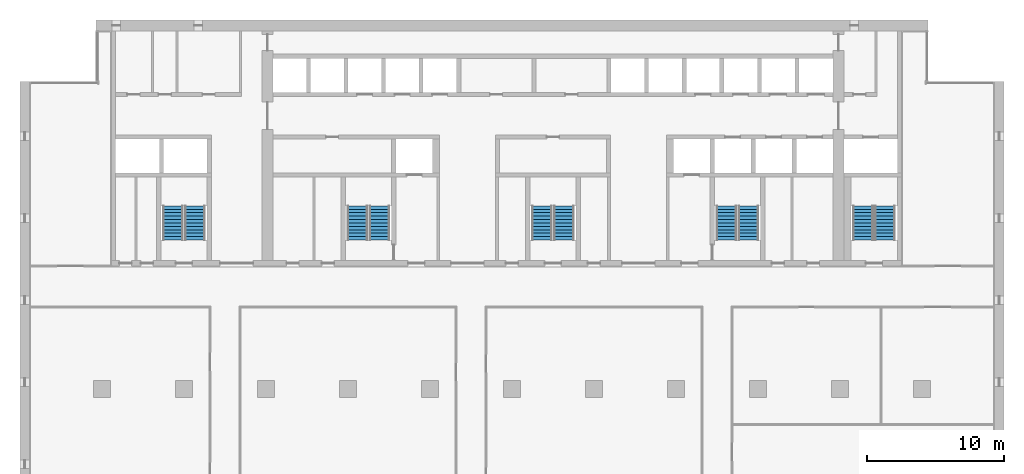
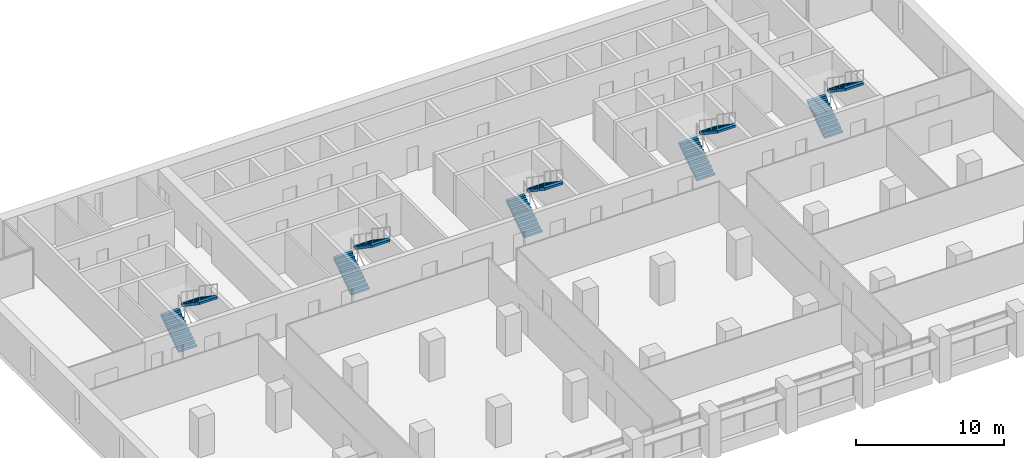
# One storey, part 13 of 16: 10 stair flights, 5 elements without a shape of their own.
"""IFC4 building model written with IfcOpenShell, lengths in metres."""

from ifc_helpers import new_model, si_unit, direction, frame, origin, place, context, subcontext, project, spatial, polyline, outline, extrude, material, type_object, element, aggregate, save


model = new_model("IFC4")

# Units and contexts
model_context = context("Model", 3, precision=1e-05, world=origin(), true_north=direction((0.0, 1.0)))
body_context = subcontext(model_context, "Body", "Model", "MODEL_VIEW")
ifc_project = project(units=[si_unit("LENGTHUNIT", "METRE"), si_unit("AREAUNIT", "SQUARE_METRE"), si_unit("VOLUMEUNIT", "CUBIC_METRE"), si_unit("PLANEANGLEUNIT", "RADIAN"), si_unit("MASSUNIT", "GRAM", prefix="KILO")], contexts=[model_context])

# Site, building, storey
site_placement = place(None, origin())
site = spatial("IfcSite", under=ifc_project, at=site_placement, CompositionType="ELEMENT")
building_placement = place(site_placement, origin())
building = spatial("IfcBuilding", under=site, at=building_placement, Name="Calvaro Tower", CompositionType="ELEMENT")
storey_placement = place(building_placement, frame((0.0, 0.0, 136.25)))
storey = spatial("IfcBuildingStorey", under=building, at=storey_placement, Name="L34", CompositionType="ELEMENT", Elevation=136.25)

# Stair, stair flights
ifc_material_1 = material(Name="Concrete C40/50", Category="concrete")
stair_type = type_object("IfcStairType", Name="Exit stair 1400 2 flights", PredefinedType="HALF_TURN_STAIR", material=ifc_material_1)
stair_1_placement = place(storey_placement, origin())
stair_1 = element("IfcStair", 1, at=stair_1_placement, inside=storey, type_object=stair_type, Name="Exit stair S1", PredefinedType="HALF_TURN_STAIR")
ifc_material_2 = material(Name="Concrete C40/50", Category="concrete")
stair_flight_type = type_object("IfcStairFlightType", Name="Stair flight", PredefinedType="STRAIGHT", material=ifc_material_2)
stair_flight_1_placement = place(storey_placement, frame((11.199951171875, 29.89990234375, 0.0), z_axis=(0.0, 0.0, 1.0), x_axis=(0.0, 1.0, 0.0)))
stair_flight_1 = element("IfcStairFlight", 2, at=stair_flight_1_placement, type_object=stair_flight_type, Name="Exit stair 1, flight 1", NumberOfRisers=11, NumberOfTreads=10, PredefinedType="STRAIGHT", RiserHeight=0.170454545, TreadLength=0.25, context=body_context, shape_type="SweptSolid", body=[
    extrude(outline(polyline([(0.0, 0.0), (0.0, 0.17041015625), (0.25, 0.17041015625), (0.25, 0.3408203125), (0.5, 0.3408203125), (0.5, 0.511474609375), (0.75, 0.511474609375), (0.75, 0.681884765625), (1.0, 0.681884765625), (1.0, 0.852294921875), (1.25, 0.852294921875), (1.25, 1.022705078125), (1.5, 1.022705078125), (1.5, 1.193115234375), (1.75, 1.193115234375), (1.75, 1.363525390625), (2.0, 1.363525390625), (2.0, 1.5341796875), (2.25, 1.5341796875), (2.25, 1.70458984375), (2.5, 1.70458984375), (2.5, 1.875), (2.5, 1.523193359375), (0.26611328125, 0.0), (0.0, 0.0)])), frame((0.0, 0.699951171875, 0.0), z_axis=(0.0, -1.0, 0.0), x_axis=(1.0, 0.0, 0.0)), (0.0, 0.0, 1.0), 1.39990234375),
])
stair_flight_2_placement = place(storey_placement, frame((12.800048828125, 32.39990234375, 1.875), z_axis=(0.0, 0.0, 1.0), x_axis=(0.0, -1.0, 0.0)))
stair_flight_2 = element("IfcStairFlight", 3, at=stair_flight_2_placement, type_object=stair_flight_type, Name="Exit stair 1, flight 2", NumberOfRisers=11, NumberOfTreads=10, PredefinedType="STRAIGHT", RiserHeight=0.170454545, TreadLength=0.25, context=body_context, shape_type="SweptSolid", body=[
    extrude(outline(polyline([(0.0, 0.0), (0.0, 0.17041015625), (0.25, 0.17041015625), (0.25, 0.3408203125), (0.5, 0.3408203125), (0.5, 0.511474609375), (0.75, 0.511474609375), (0.75, 0.681884765625), (1.0, 0.681884765625), (1.0, 0.852294921875), (1.25, 0.852294921875), (1.25, 1.022705078125), (1.5, 1.022705078125), (1.5, 1.193115234375), (1.75, 1.193115234375), (1.75, 1.363525390625), (2.0, 1.363525390625), (2.0, 1.5341796875), (2.25, 1.5341796875), (2.25, 1.70458984375), (2.5, 1.70458984375), (2.5, 1.875), (2.5, 1.523193359375), (0.26611328125, 0.0), (0.0, 0.0)])), frame((0.0, 0.699951171875, 0.0), z_axis=(0.0, -1.0, 0.0), x_axis=(1.0, 0.0, 0.0)), (0.0, 0.0, 1.0), 1.39990234375),
])
aggregate(stair_1, [stair_flight_1, stair_flight_2])

stair_2_placement = place(storey_placement, origin())
stair_2 = element("IfcStair", 4, at=stair_2_placement, inside=storey, type_object=stair_type, Name="Exit stair S2", PredefinedType="HALF_TURN_STAIR")
stair_flight_3_placement = place(storey_placement, frame((24.699951171875, 29.89990234375, 0.0), z_axis=(0.0, 0.0, 1.0), x_axis=(0.0, 1.0, 0.0)))
stair_flight_3 = element("IfcStairFlight", 5, at=stair_flight_3_placement, type_object=stair_flight_type, Name="Exit stair 2, flight 1", NumberOfRisers=11, NumberOfTreads=10, PredefinedType="STRAIGHT", RiserHeight=0.170454545, TreadLength=0.25, context=body_context, shape_type="SweptSolid", body=[
    extrude(outline(polyline([(0.0, 0.0), (0.0, 0.17041015625), (0.25, 0.17041015625), (0.25, 0.3408203125), (0.5, 0.3408203125), (0.5, 0.511474609375), (0.75, 0.511474609375), (0.75, 0.681884765625), (1.0, 0.681884765625), (1.0, 0.852294921875), (1.25, 0.852294921875), (1.25, 1.022705078125), (1.5, 1.022705078125), (1.5, 1.193115234375), (1.75, 1.193115234375), (1.75, 1.363525390625), (2.0, 1.363525390625), (2.0, 1.5341796875), (2.25, 1.5341796875), (2.25, 1.70458984375), (2.5, 1.70458984375), (2.5, 1.875), (2.5, 1.523193359375), (0.26611328125, 0.0), (0.0, 0.0)])), frame((0.0, 0.699951171875, 0.0), z_axis=(0.0, -1.0, 0.0), x_axis=(1.0, 0.0, 0.0)), (0.0, 0.0, 1.0), 1.39990234375),
])
stair_flight_4_placement = place(storey_placement, frame((26.300048828125, 32.39990234375, 1.875), z_axis=(0.0, 0.0, 1.0), x_axis=(0.0, -1.0, 0.0)))
stair_flight_4 = element("IfcStairFlight", 6, at=stair_flight_4_placement, type_object=stair_flight_type, Name="Exit stair 2, flight 2", NumberOfRisers=11, NumberOfTreads=10, PredefinedType="STRAIGHT", RiserHeight=0.170454545, TreadLength=0.25, context=body_context, shape_type="SweptSolid", body=[
    extrude(outline(polyline([(0.0, 0.0), (0.0, 0.17041015625), (0.25, 0.17041015625), (0.25, 0.3408203125), (0.5, 0.3408203125), (0.5, 0.511474609375), (0.75, 0.511474609375), (0.75, 0.681884765625), (1.0, 0.681884765625), (1.0, 0.852294921875), (1.25, 0.852294921875), (1.25, 1.022705078125), (1.5, 1.022705078125), (1.5, 1.193115234375), (1.75, 1.193115234375), (1.75, 1.363525390625), (2.0, 1.363525390625), (2.0, 1.5341796875), (2.25, 1.5341796875), (2.25, 1.70458984375), (2.5, 1.70458984375), (2.5, 1.875), (2.5, 1.523193359375), (0.26611328125, 0.0), (0.0, 0.0)])), frame((0.0, 0.699951171875, 0.0), z_axis=(0.0, -1.0, 0.0), x_axis=(1.0, 0.0, 0.0)), (0.0, 0.0, 1.0), 1.39990234375),
])
aggregate(stair_2, [stair_flight_3, stair_flight_4])

stair_3_placement = place(storey_placement, origin())
stair_3 = element("IfcStair", 7, at=stair_3_placement, inside=storey, type_object=stair_type, Name="Exit stair S3", PredefinedType="HALF_TURN_STAIR")
stair_flight_5_placement = place(storey_placement, frame((38.199951171875, 29.89990234375, 0.0), z_axis=(0.0, 0.0, 1.0), x_axis=(0.0, 1.0, 0.0)))
stair_flight_5 = element("IfcStairFlight", 8, at=stair_flight_5_placement, type_object=stair_flight_type, Name="Exit stair 3, flight 1", NumberOfRisers=11, NumberOfTreads=10, PredefinedType="STRAIGHT", RiserHeight=0.170454545, TreadLength=0.25, context=body_context, shape_type="SweptSolid", body=[
    extrude(outline(polyline([(0.0, 0.0), (0.0, 0.17041015625), (0.25, 0.17041015625), (0.25, 0.3408203125), (0.5, 0.3408203125), (0.5, 0.511474609375), (0.75, 0.511474609375), (0.75, 0.681884765625), (1.0, 0.681884765625), (1.0, 0.852294921875), (1.25, 0.852294921875), (1.25, 1.022705078125), (1.5, 1.022705078125), (1.5, 1.193115234375), (1.75, 1.193115234375), (1.75, 1.363525390625), (2.0, 1.363525390625), (2.0, 1.5341796875), (2.25, 1.5341796875), (2.25, 1.70458984375), (2.5, 1.70458984375), (2.5, 1.875), (2.5, 1.523193359375), (0.26611328125, 0.0), (0.0, 0.0)])), frame((0.0, 0.699951171875, 0.0), z_axis=(0.0, -1.0, 0.0), x_axis=(1.0, 0.0, 0.0)), (0.0, 0.0, 1.0), 1.39990234375),
])
stair_flight_6_placement = place(storey_placement, frame((39.800048828125, 32.39990234375, 1.875), z_axis=(0.0, 0.0, 1.0), x_axis=(0.0, -1.0, 0.0)))
stair_flight_6 = element("IfcStairFlight", 9, at=stair_flight_6_placement, type_object=stair_flight_type, Name="Exit stair 3, flight 2", NumberOfRisers=11, NumberOfTreads=10, PredefinedType="STRAIGHT", RiserHeight=0.170454545, TreadLength=0.25, context=body_context, shape_type="SweptSolid", body=[
    extrude(outline(polyline([(0.0, 0.0), (0.0, 0.17041015625), (0.25, 0.17041015625), (0.25, 0.3408203125), (0.5, 0.3408203125), (0.5, 0.511474609375), (0.75, 0.511474609375), (0.75, 0.681884765625), (1.0, 0.681884765625), (1.0, 0.852294921875), (1.25, 0.852294921875), (1.25, 1.022705078125), (1.5, 1.022705078125), (1.5, 1.193115234375), (1.75, 1.193115234375), (1.75, 1.363525390625), (2.0, 1.363525390625), (2.0, 1.5341796875), (2.25, 1.5341796875), (2.25, 1.70458984375), (2.5, 1.70458984375), (2.5, 1.875), (2.5, 1.523193359375), (0.26611328125, 0.0), (0.0, 0.0)])), frame((0.0, 0.699951171875, 0.0), z_axis=(0.0, -1.0, 0.0), x_axis=(1.0, 0.0, 0.0)), (0.0, 0.0, 1.0), 1.39990234375),
])
aggregate(stair_3, [stair_flight_5, stair_flight_6])

stair_4_placement = place(storey_placement, origin())
stair_4 = element("IfcStair", 10, at=stair_4_placement, inside=storey, type_object=stair_type, Name="Exit stair S4", PredefinedType="HALF_TURN_STAIR")
stair_flight_7_placement = place(storey_placement, frame((51.699951171875, 29.89990234375, 0.0), z_axis=(0.0, 0.0, 1.0), x_axis=(0.0, 1.0, 0.0)))
stair_flight_7 = element("IfcStairFlight", 11, at=stair_flight_7_placement, type_object=stair_flight_type, Name="Exit stair 4, flight 1", NumberOfRisers=11, NumberOfTreads=10, PredefinedType="STRAIGHT", RiserHeight=0.170454545, TreadLength=0.25, context=body_context, shape_type="SweptSolid", body=[
    extrude(outline(polyline([(0.0, 0.0), (0.0, 0.17041015625), (0.25, 0.17041015625), (0.25, 0.3408203125), (0.5, 0.3408203125), (0.5, 0.511474609375), (0.75, 0.511474609375), (0.75, 0.681884765625), (1.0, 0.681884765625), (1.0, 0.852294921875), (1.25, 0.852294921875), (1.25, 1.022705078125), (1.5, 1.022705078125), (1.5, 1.193115234375), (1.75, 1.193115234375), (1.75, 1.363525390625), (2.0, 1.363525390625), (2.0, 1.5341796875), (2.25, 1.5341796875), (2.25, 1.70458984375), (2.5, 1.70458984375), (2.5, 1.875), (2.5, 1.523193359375), (0.26611328125, 0.0), (0.0, 0.0)])), frame((0.0, 0.699951171875, 0.0), z_axis=(0.0, -1.0, 0.0), x_axis=(1.0, 0.0, 0.0)), (0.0, 0.0, 1.0), 1.39990234375),
])
stair_flight_8_placement = place(storey_placement, frame((53.300048828125, 32.39990234375, 1.875), z_axis=(0.0, 0.0, 1.0), x_axis=(0.0, -1.0, 0.0)))
stair_flight_8 = element("IfcStairFlight", 12, at=stair_flight_8_placement, type_object=stair_flight_type, Name="Exit stair 4, flight 2", NumberOfRisers=11, NumberOfTreads=10, PredefinedType="STRAIGHT", RiserHeight=0.170454545, TreadLength=0.25, context=body_context, shape_type="SweptSolid", body=[
    extrude(outline(polyline([(0.0, 0.0), (0.0, 0.17041015625), (0.25, 0.17041015625), (0.25, 0.3408203125), (0.5, 0.3408203125), (0.5, 0.511474609375), (0.75, 0.511474609375), (0.75, 0.681884765625), (1.0, 0.681884765625), (1.0, 0.852294921875), (1.25, 0.852294921875), (1.25, 1.022705078125), (1.5, 1.022705078125), (1.5, 1.193115234375), (1.75, 1.193115234375), (1.75, 1.363525390625), (2.0, 1.363525390625), (2.0, 1.5341796875), (2.25, 1.5341796875), (2.25, 1.70458984375), (2.5, 1.70458984375), (2.5, 1.875), (2.5, 1.523193359375), (0.26611328125, 0.0), (0.0, 0.0)])), frame((0.0, 0.699951171875, 0.0), z_axis=(0.0, -1.0, 0.0), x_axis=(1.0, 0.0, 0.0)), (0.0, 0.0, 1.0), 1.39990234375),
])
aggregate(stair_4, [stair_flight_7, stair_flight_8])

stair_5_placement = place(storey_placement, origin())
stair_5 = element("IfcStair", 13, at=stair_5_placement, inside=storey, type_object=stair_type, Name="Exit stair S5", PredefinedType="HALF_TURN_STAIR")
stair_flight_9_placement = place(storey_placement, frame((61.699951171875, 29.89990234375, 0.0), z_axis=(0.0, 0.0, 1.0), x_axis=(0.0, 1.0, 0.0)))
stair_flight_9 = element("IfcStairFlight", 14, at=stair_flight_9_placement, type_object=stair_flight_type, Name="Exit stair 5, flight 1", NumberOfRisers=11, NumberOfTreads=10, PredefinedType="STRAIGHT", RiserHeight=0.170454545, TreadLength=0.25, context=body_context, shape_type="SweptSolid", body=[
    extrude(outline(polyline([(0.0, 0.0), (0.0, 0.17041015625), (0.25, 0.17041015625), (0.25, 0.3408203125), (0.5, 0.3408203125), (0.5, 0.511474609375), (0.75, 0.511474609375), (0.75, 0.681884765625), (1.0, 0.681884765625), (1.0, 0.852294921875), (1.25, 0.852294921875), (1.25, 1.022705078125), (1.5, 1.022705078125), (1.5, 1.193115234375), (1.75, 1.193115234375), (1.75, 1.363525390625), (2.0, 1.363525390625), (2.0, 1.5341796875), (2.25, 1.5341796875), (2.25, 1.70458984375), (2.5, 1.70458984375), (2.5, 1.875), (2.5, 1.523193359375), (0.26611328125, 0.0), (0.0, 0.0)])), frame((0.0, 0.699951171875, 0.0), z_axis=(0.0, -1.0, 0.0), x_axis=(1.0, 0.0, 0.0)), (0.0, 0.0, 1.0), 1.39990234375),
])
stair_flight_10_placement = place(storey_placement, frame((63.300048828125, 32.39990234375, 1.875), z_axis=(0.0, 0.0, 1.0), x_axis=(0.0, -1.0, 0.0)))
stair_flight_10 = element("IfcStairFlight", 15, at=stair_flight_10_placement, type_object=stair_flight_type, Name="Exit stair 5, flight 2", NumberOfRisers=11, NumberOfTreads=10, PredefinedType="STRAIGHT", RiserHeight=0.170454545, TreadLength=0.25, context=body_context, shape_type="SweptSolid", body=[
    extrude(outline(polyline([(0.0, 0.0), (0.0, 0.17041015625), (0.25, 0.17041015625), (0.25, 0.3408203125), (0.5, 0.3408203125), (0.5, 0.511474609375), (0.75, 0.511474609375), (0.75, 0.681884765625), (1.0, 0.681884765625), (1.0, 0.852294921875), (1.25, 0.852294921875), (1.25, 1.022705078125), (1.5, 1.022705078125), (1.5, 1.193115234375), (1.75, 1.193115234375), (1.75, 1.363525390625), (2.0, 1.363525390625), (2.0, 1.5341796875), (2.25, 1.5341796875), (2.25, 1.70458984375), (2.5, 1.70458984375), (2.5, 1.875), (2.5, 1.523193359375), (0.26611328125, 0.0), (0.0, 0.0)])), frame((0.0, 0.699951171875, 0.0), z_axis=(0.0, -1.0, 0.0), x_axis=(1.0, 0.0, 0.0)), (0.0, 0.0, 1.0), 1.39990234375),
])
aggregate(stair_5, [stair_flight_9, stair_flight_10])

save(model, "model.ifc")
